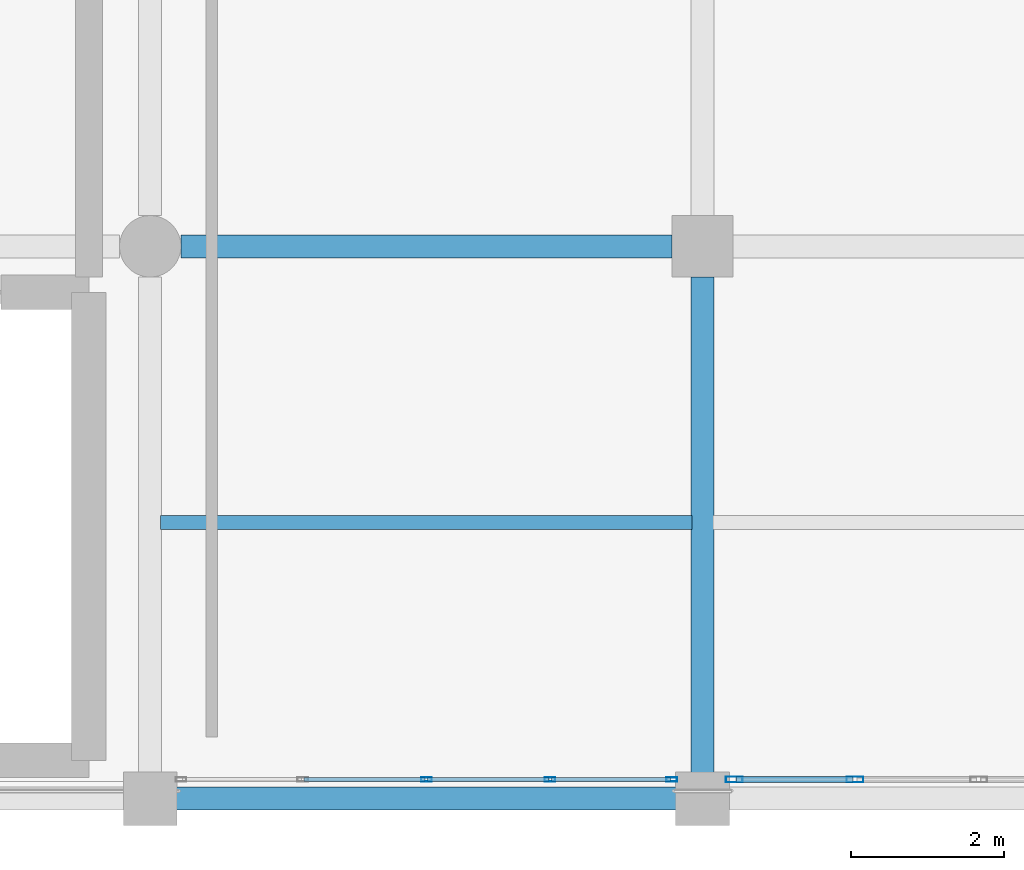
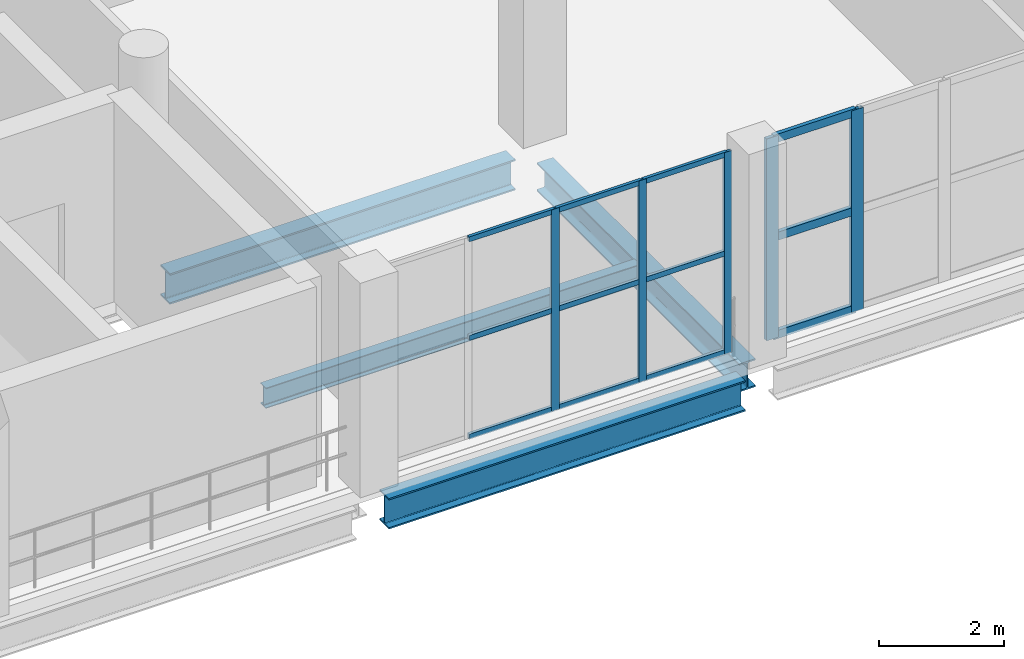
# One storey, part 28 of 153: 17 members, 4 beams, 2 elements without a shape of their own.
"""IFC4 building model written with IfcOpenShell, lengths in metres."""

import ifcopenshell
import ifcopenshell.guid

model = None  # the IFC model being written
_history = None  # IfcOwnerHistory: only IFC2X3 demands one
_inside = {}  # id of a spatial element -> (the spatial element, [elements in it])
_under = {}  # id of a project, library or spatial element -> (it, [spatial elements below it])
_declared = {}  # id of a project -> (the project, [libraries it declares])
_typed = {}  # id of a type object -> (the type object, [elements of that type])
_made_of = {}  # id of a material, layer set ... -> (it, [elements and type objects made of it])


def new_model(schema):
    """Start an empty IFC model of exactly this schema.

    Asked for "IFC4X3", IfcOpenShell would pick the latest addendum, in which some entities
    have other attributes; the version numbers below select the first issue.
    IFC2X3 requires an IfcOwnerHistory on every rooted entity: one is made here for all.
    """
    global model, _history
    if schema == "IFC4X3":
        model = ifcopenshell.file(schema_version=(4, 3, 0, 0))
    else:
        model = ifcopenshell.file(schema=schema)
    _inside.clear()
    _under.clear()
    _declared.clear()
    _typed.clear()
    _made_of.clear()
    _history = None
    if model.schema == "IFC2X3":
        org = make("IfcOrganization", Name="unknown")
        user = make(
            "IfcPersonAndOrganization",
            ThePerson=make("IfcPerson", FamilyName="unknown"),
            TheOrganization=org,
        )
        app = make(
            "IfcApplication",
            ApplicationDeveloper=org,
            Version="unknown",
            ApplicationFullName="unknown",
            ApplicationIdentifier="unknown",
        )
        _history = make(
            "IfcOwnerHistory",
            OwningUser=user,
            OwningApplication=app,
            ChangeAction="ADDED",
            CreationDate=0,
        )
    return model


def make(cls, **values):
    """One entity of the class cls with the attributes given. An attribute that is None is left unset."""
    return model.create_entity(
        cls, **{name: value for name, value in values.items() if value is not None}
    )


def rooted(cls, **values):
    """An entity with a GlobalId (a new one), such as an element, a storey or a relation."""
    return make(cls, GlobalId=ifcopenshell.guid.new(), OwnerHistory=_history, **values)


def si_unit(unit_type, name, prefix=None):
    """IfcSIUnit, for example si_unit("LENGTHUNIT", "METRE", prefix="MILLI")."""
    return make("IfcSIUnit", UnitType=unit_type, Prefix=prefix, Name=name)


def assignment(units):
    """IfcUnitAssignment: the units of a project."""
    return None if units is None else make("IfcUnitAssignment", Units=units)


def point(xyz):
    """IfcCartesianPoint."""
    return None if xyz is None else make("IfcCartesianPoint", Coordinates=xyz)


def direction(xyz):
    """IfcDirection."""
    return None if xyz is None else make("IfcDirection", DirectionRatios=xyz)


def frame(location, z_axis=None, x_axis=None):
    """IfcAxis2Placement3D, a coordinate frame: its origin and axes. An axis left out is left unset."""
    return make(
        "IfcAxis2Placement3D",
        Location=point(location),
        Axis=direction(z_axis),
        RefDirection=direction(x_axis),
    )


def frame_2d(location, x_axis=None):
    """IfcAxis2Placement2D, a coordinate frame in the plane: its origin and x axis."""
    return make(
        "IfcAxis2Placement2D", Location=point(location), RefDirection=direction(x_axis)
    )


def origin():
    """The frame at (0, 0, 0) with its axes left unset."""
    return frame((0.0, 0.0, 0.0))


def origin_2d():
    """The frame at (0, 0) in the plane with its x axis left unset."""
    return frame_2d((0.0, 0.0))


def place(relative_to, where):
    """IfcLocalPlacement: puts the frame where relative to a parent placement (None: the world)."""
    return make(
        "IfcLocalPlacement", PlacementRelTo=relative_to, RelativePlacement=where
    )


def context(
    kind, dimensions, precision=None, world=None, true_north=None, identifier=None
):
    """IfcGeometricRepresentationContext, for example the 3D "Model" context."""
    return make(
        "IfcGeometricRepresentationContext",
        ContextIdentifier=identifier,
        ContextType=kind,
        CoordinateSpaceDimension=dimensions,
        Precision=precision,
        WorldCoordinateSystem=world,
        TrueNorth=true_north,
    )


def subcontext(parent, identifier, kind, view, scale=None):
    """IfcGeometricRepresentationSubContext, for example "Body" below "Model"."""
    return make(
        "IfcGeometricRepresentationSubContext",
        ContextIdentifier=identifier,
        ContextType=kind,
        ParentContext=parent,
        TargetScale=scale,
        TargetView=view,
    )


def project(units=None, contexts=None):
    """IfcProject with its units and contexts."""
    return rooted(
        "IfcProject",
        Name="project",
        RepresentationContexts=contexts,
        UnitsInContext=assignment(units),
    )


def spatial(cls, under=None, at=None, **own):
    """A site, building, storey or space (cls), placed at a placement, below another one or the project."""
    s = rooted(cls, ObjectPlacement=at, **own)
    if under is not None:
        _under.setdefault(under.id(), (under, []))[1].append(s)
    return s


def profile(cls, at=None, kind="AREA", **sizes):
    """A parametric profile (cls). Its sizes go by their IFC names, for example OverallWidth=200.0."""
    return make(cls, ProfileType=kind, Position=at, **sizes)


def hollow_rectangle(**sizes):
    """IfcRectangleHollowProfileDef."""
    return profile("IfcRectangleHollowProfileDef", **sizes)


def i_section(**sizes):
    """IfcIShapeProfileDef."""
    return profile("IfcIShapeProfileDef", **sizes)


def extrude(swept, where, along, depth):
    """IfcExtrudedAreaSolid: the profile swept, set in the frame where, extruded along a direction by depth."""
    return make(
        "IfcExtrudedAreaSolid",
        SweptArea=swept,
        Position=where,
        ExtrudedDirection=direction(along),
        Depth=depth,
    )


def shape(context_of_items, identifier, shape_type, items):
    """IfcShapeRepresentation: the items that make up one representation, for example the "Body"."""
    return make(
        "IfcShapeRepresentation",
        ContextOfItems=context_of_items,
        RepresentationIdentifier=identifier,
        RepresentationType=shape_type,
        Items=items,
    )


def material(Name=None, Category=None):
    """IfcMaterial."""
    return make("IfcMaterial", Name=Name, Category=Category)


def material_profile(
    of_material, cross_section, Name=None, Category=None, Priority=None
):
    """IfcMaterialProfile: a cross section and its material."""
    return make(
        "IfcMaterialProfile",
        Name=Name,
        Material=of_material,
        Profile=cross_section,
        Priority=Priority,
        Category=Category,
    )


def profile_set(profiles, Name=None, composite=None):
    """IfcMaterialProfileSet."""
    return make(
        "IfcMaterialProfileSet",
        Name=Name,
        MaterialProfiles=profiles,
        CompositeProfile=composite,
    )


def made_of(thing, what):
    """Note that an element or type object is made of a material, layer set ...; save() writes the relation."""
    if what is not None:
        _made_of.setdefault(what.id(), (what, []))[1].append(thing)
    return thing


def type_object(cls, material=None, **own):
    """A type object (cls), such as IfcWallType, which elements share."""
    return made_of(rooted(cls, **own), material)


def element(
    cls,
    number,
    at=None,
    inside=None,
    cuts=None,
    type_object=None,
    material=None,
    context=None,
    identifier="Body",
    shape_type=None,
    held_by="IfcProductDefinitionShape",
    body=None,
    shapes=None,
    **own,
):
    """One element of the class cls, such as IfcWall. Its Tag is "e" and its number.

    at: its placement. inside: the storey or other place that contains it. cuts: it is an
    opening in that element (IfcRelVoidsElement). A single representation is given by context,
    identifier, shape_type and body (its items); several are given by shapes. held_by: the class
    of the entity that holds the representations. save() writes the other relations.
    """
    e = rooted(cls, Tag="e%d" % number, ObjectPlacement=at, **own)
    if body is not None:
        shapes = [shape(context, identifier, shape_type, body)]
    if shapes is not None:
        e.Representation = make(held_by, Representations=shapes)
    if inside is not None:
        _inside.setdefault(inside.id(), (inside, []))[1].append(e)
    if cuts is not None:
        rooted(
            "IfcRelVoidsElement", RelatingBuildingElement=cuts, RelatedOpeningElement=e
        )
    if type_object is not None:
        _typed.setdefault(type_object.id(), (type_object, []))[1].append(e)
    return made_of(e, material)


def aggregate(whole, parts):
    """IfcRelAggregates: a whole, such as a stair, and the parts it consists of."""
    return rooted("IfcRelAggregates", RelatingObject=whole, RelatedObjects=parts)


def save(model, path):
    """Write the relations noted so far, then the file.

    IfcRelAggregates (storeys below a building ...), IfcRelContainedInSpatialStructure (elements
    in a storey), IfcRelDefinesByType, IfcRelAssociatesMaterial and IfcRelDeclares: one each for
    every whole, place, type object, material and project.
    """
    for whole, parts in _under.values():
        aggregate(whole, parts)
    for where, things in _inside.values():
        rooted(
            "IfcRelContainedInSpatialStructure",
            RelatedElements=things,
            RelatingStructure=where,
        )
    for kind, things in _typed.values():
        rooted("IfcRelDefinesByType", RelatedObjects=things, RelatingType=kind)
    for what, things in _made_of.values():
        rooted("IfcRelAssociatesMaterial", RelatedObjects=things, RelatingMaterial=what)
    for by, libraries in _declared.values():
        rooted("IfcRelDeclares", RelatingContext=by, RelatedDefinitions=libraries)
    model.write(path)


model = new_model("IFC4")

# Units and contexts
model_context = context("Model", 3, precision=1e-05, world=origin(), true_north=direction((0.0, 1.0)))
body_context = subcontext(model_context, "Body", "Model", "MODEL_VIEW")
ifc_project = project(units=[si_unit("LENGTHUNIT", "METRE"), si_unit("AREAUNIT", "SQUARE_METRE"), si_unit("VOLUMEUNIT", "CUBIC_METRE"), si_unit("PLANEANGLEUNIT", "RADIAN"), si_unit("MASSUNIT", "GRAM", prefix="KILO")], contexts=[model_context])

# Site, building, storey
site_placement = place(None, origin())
site = spatial("IfcSite", under=ifc_project, at=site_placement, CompositionType="ELEMENT")
building_placement = place(site_placement, origin())
building = spatial("IfcBuilding", under=site, at=building_placement, Name="Qandorah Velis Arena", CompositionType="ELEMENT")
storey_placement = place(building_placement, frame((0.0, 0.0, 5.39990234375)))
storey = spatial("IfcBuildingStorey", under=building, at=storey_placement, Name="L01", CompositionType="ELEMENT", Elevation=5.39990234375)

# Curtain wall, members
ifc_material_1 = material(Name="Solar-control low-E double glazing", Category="glass")
curtain_wall_type_1 = type_object("IfcCurtainWallType", Name="ARC-CW-SYS12", PredefinedType="USERDEFINED", material=ifc_material_1)
curtain_wall_1_placement = place(storey_placement, origin())
curtain_wall_1 = element("IfcCurtainWall", 1, at=curtain_wall_1_placement, inside=storey, type_object=curtain_wall_type_1, Name="Unitised curtain wall L01-060", ObjectType="UNITISED CURTAIN WALL", PredefinedType="USERDEFINED")
ifc_material_2 = material(Name="Champagne-bronze anodized aluminium 6063-T6", Category="aluminium")
ifc_material_profile_1 = material_profile(ifc_material_2, hollow_rectangle(XDim=0.054931640625, YDim=0.139892578125, WallThickness=0.0029296875, at=origin_2d()), Name="ALU MULLION 55x140")
ifc_profile_set_1 = profile_set([ifc_material_profile_1], Name="Champagne-bronze anodized aluminium 6063-T6")
member_type_1 = type_object("IfcMemberType", Name="ARC-CWM-140", PredefinedType="MULLION", material=ifc_profile_set_1)
member_1_placement = place(storey_placement, frame((90.0, 0.25, -0.014892578125), z_axis=(0.0, 0.0, 1.0), x_axis=(0.0, 1.0, 0.0)))
member_1 = element("IfcMember", 2, at=member_1_placement, type_object=member_type_1, Name="CW12 mullion 3", PredefinedType="MULLION", context=body_context, shape_type="SweptSolid", body=[
    extrude(hollow_rectangle(XDim=0.054931640625, YDim=0.139892578125, WallThickness=0.0029296875, at=origin_2d()), origin(), (0.0, 0.0, 1.0), 3.949951171875),
])
member_2_placement = place(storey_placement, frame((91.612548828125, 0.25, -0.014892578125), z_axis=(0.0, 0.0, 1.0), x_axis=(0.0, 1.0, 0.0)))
member_2 = element("IfcMember", 3, at=member_2_placement, type_object=member_type_1, Name="CW12 mullion 4", PredefinedType="MULLION", context=body_context, shape_type="SweptSolid", body=[
    extrude(hollow_rectangle(XDim=0.054931640625, YDim=0.139892578125, WallThickness=0.0029296875, at=origin_2d()), origin(), (0.0, 0.0, 1.0), 3.949951171875),
])
member_3_placement = place(storey_placement, frame((93.197509765625, 0.25, -0.014892578125), z_axis=(0.0, 0.0, 1.0), x_axis=(0.0, 1.0, 0.0)))
member_3 = element("IfcMember", 4, at=member_3_placement, type_object=member_type_1, Name="CW12 mullion 5", PredefinedType="MULLION", context=body_context, shape_type="SweptSolid", body=[
    extrude(hollow_rectangle(XDim=0.054931640625, YDim=0.139892578125, WallThickness=0.0029296875, at=origin_2d()), origin(), (0.0, 0.0, 1.0), 3.949951171875),
])

curtain_wall_type_2 = type_object("IfcCurtainWallType", Name="ARC-CW-SYS13", PredefinedType="USERDEFINED", material=ifc_material_1)
curtain_wall_2_placement = place(storey_placement, origin())
curtain_wall_2 = element("IfcCurtainWall", 5, at=curtain_wall_2_placement, inside=storey, type_object=curtain_wall_type_2, Name="Unitised curtain wall L01-061", ObjectType="UNITISED CURTAIN WALL", PredefinedType="USERDEFINED")
ifc_material_profile_2 = material_profile(ifc_material_2, hollow_rectangle(XDim=0.074951171875, YDim=0.219970703125, WallThickness=0.00390625, at=origin_2d()), Name="ALU MULLION 75x220")
ifc_profile_set_2 = profile_set([ifc_material_profile_2], Name="Champagne-bronze anodized aluminium 6063-T6")
member_type_2 = type_object("IfcMemberType", Name="ARC-CWM-220", PredefinedType="MULLION", material=ifc_profile_set_2)
member_4_placement = place(storey_placement, frame((94.012451171875, 0.25, -0.014892578125), z_axis=(0.0, 0.0, 1.0), x_axis=(0.0, 1.0, 0.0)))
member_4 = element("IfcMember", 6, at=member_4_placement, type_object=member_type_2, Name="CW13 mullion 1", PredefinedType="MULLION", context=body_context, shape_type="SweptSolid", body=[
    extrude(hollow_rectangle(XDim=0.074951171875, YDim=0.219970703125, WallThickness=0.00390625, at=origin_2d()), origin(), (0.0, 0.0, 1.0), 3.949951171875),
])
member_5_placement = place(storey_placement, frame((95.58740234375, 0.25, -0.014892578125), z_axis=(0.0, 0.0, 1.0), x_axis=(0.0, 1.0, 0.0)))
member_5 = element("IfcMember", 7, at=member_5_placement, type_object=member_type_2, Name="CW13 mullion 2", PredefinedType="MULLION", context=body_context, shape_type="SweptSolid", body=[
    extrude(hollow_rectangle(XDim=0.074951171875, YDim=0.219970703125, WallThickness=0.00390625, at=origin_2d()), origin(), (0.0, 0.0, 1.0), 3.949951171875),
])

# Member
ifc_material_profile_3 = material_profile(ifc_material_2, hollow_rectangle(XDim=0.054931640625, YDim=0.10009765625, WallThickness=0.0029296875, at=origin_2d()), Name="ALU TRANSOM 55x100")
ifc_profile_set_3 = profile_set([ifc_material_profile_3], Name="Champagne-bronze anodized aluminium 6063-T6")
member_type_3 = type_object("IfcMemberType", Name="ARC-CWT-100", PredefinedType="USERDEFINED", material=ifc_profile_set_3)
member_6_placement = place(storey_placement, frame((88.403076171875, 0.25, 0.027587890625), z_axis=(1.0, 0.0, 0.0), x_axis=(0.0, 1.0, 0.0)))
member_6 = element("IfcMember", 8, at=member_6_placement, type_object=member_type_3, Name="CW12 transom 2.1", ObjectType="TRANSOM", PredefinedType="USERDEFINED", context=body_context, shape_type="SweptSolid", body=[
    extrude(hollow_rectangle(XDim=0.054931640625, YDim=0.10009765625, WallThickness=0.0029296875, at=origin_2d()), origin(), (0.0, 0.0, 1.0), 1.58154296875),
])

member_7_placement = place(storey_placement, frame((88.403076171875, 0.25, 1.960205078125), z_axis=(1.0, 0.0, 0.0), x_axis=(0.0, 1.0, 0.0)))
member_7 = element("IfcMember", 9, at=member_7_placement, type_object=member_type_3, Name="CW12 transom 2.2", ObjectType="TRANSOM", PredefinedType="USERDEFINED", context=body_context, shape_type="SweptSolid", body=[
    extrude(hollow_rectangle(XDim=0.054931640625, YDim=0.10009765625, WallThickness=0.0029296875, at=origin_2d()), origin(), (0.0, 0.0, 1.0), 1.58154296875),
])

member_8_placement = place(storey_placement, frame((88.403076171875, 0.25, 3.892578125), z_axis=(1.0, 0.0, 0.0), x_axis=(0.0, 1.0, 0.0)))
member_8 = element("IfcMember", 10, at=member_8_placement, type_object=member_type_3, Name="CW12 transom 2.3", ObjectType="TRANSOM", PredefinedType="USERDEFINED", context=body_context, shape_type="SweptSolid", body=[
    extrude(hollow_rectangle(XDim=0.054931640625, YDim=0.10009765625, WallThickness=0.0029296875, at=origin_2d()), origin(), (0.0, 0.0, 1.0), 1.58154296875),
])

member_9_placement = place(storey_placement, frame((90.015380859375, 0.25, 0.027587890625), z_axis=(1.0, 0.0, 0.0), x_axis=(0.0, 1.0, 0.0)))
member_9 = element("IfcMember", 11, at=member_9_placement, type_object=member_type_3, Name="CW12 transom 3.1", ObjectType="TRANSOM", PredefinedType="USERDEFINED", context=body_context, shape_type="SweptSolid", body=[
    extrude(hollow_rectangle(XDim=0.054931640625, YDim=0.10009765625, WallThickness=0.0029296875, at=origin_2d()), origin(), (0.0, 0.0, 1.0), 1.58154296875),
])

member_10_placement = place(storey_placement, frame((90.015380859375, 0.25, 1.960205078125), z_axis=(1.0, 0.0, 0.0), x_axis=(0.0, 1.0, 0.0)))
member_10 = element("IfcMember", 12, at=member_10_placement, type_object=member_type_3, Name="CW12 transom 3.2", ObjectType="TRANSOM", PredefinedType="USERDEFINED", context=body_context, shape_type="SweptSolid", body=[
    extrude(hollow_rectangle(XDim=0.054931640625, YDim=0.10009765625, WallThickness=0.0029296875, at=origin_2d()), origin(), (0.0, 0.0, 1.0), 1.58154296875),
])

member_11_placement = place(storey_placement, frame((90.015380859375, 0.25, 3.892578125), z_axis=(1.0, 0.0, 0.0), x_axis=(0.0, 1.0, 0.0)))
member_11 = element("IfcMember", 13, at=member_11_placement, type_object=member_type_3, Name="CW12 transom 3.3", ObjectType="TRANSOM", PredefinedType="USERDEFINED", context=body_context, shape_type="SweptSolid", body=[
    extrude(hollow_rectangle(XDim=0.054931640625, YDim=0.10009765625, WallThickness=0.0029296875, at=origin_2d()), origin(), (0.0, 0.0, 1.0), 1.58154296875),
])

member_12_placement = place(storey_placement, frame((91.6279296875, 0.25, 0.027587890625), z_axis=(1.0, 0.0, 0.0), x_axis=(0.0, 1.0, 0.0)))
member_12 = element("IfcMember", 14, at=member_12_placement, type_object=member_type_3, Name="CW12 transom 4.1", ObjectType="TRANSOM", PredefinedType="USERDEFINED", context=body_context, shape_type="SweptSolid", body=[
    extrude(hollow_rectangle(XDim=0.054931640625, YDim=0.10009765625, WallThickness=0.0029296875, at=origin_2d()), origin(), (0.0, 0.0, 1.0), 1.553955078125),
])

member_13_placement = place(storey_placement, frame((91.6279296875, 0.25, 1.960205078125), z_axis=(1.0, 0.0, 0.0), x_axis=(0.0, 1.0, 0.0)))
member_13 = element("IfcMember", 15, at=member_13_placement, type_object=member_type_3, Name="CW12 transom 4.2", ObjectType="TRANSOM", PredefinedType="USERDEFINED", context=body_context, shape_type="SweptSolid", body=[
    extrude(hollow_rectangle(XDim=0.054931640625, YDim=0.10009765625, WallThickness=0.0029296875, at=origin_2d()), origin(), (0.0, 0.0, 1.0), 1.553955078125),
])

member_14_placement = place(storey_placement, frame((91.6279296875, 0.25, 3.892578125), z_axis=(1.0, 0.0, 0.0), x_axis=(0.0, 1.0, 0.0)))
member_14 = element("IfcMember", 16, at=member_14_placement, type_object=member_type_3, Name="CW12 transom 4.3", ObjectType="TRANSOM", PredefinedType="USERDEFINED", context=body_context, shape_type="SweptSolid", body=[
    extrude(hollow_rectangle(XDim=0.054931640625, YDim=0.10009765625, WallThickness=0.0029296875, at=origin_2d()), origin(), (0.0, 0.0, 1.0), 1.553955078125),
])

aggregate(curtain_wall_1, [member_1, member_2, member_3, member_6, member_7, member_8, member_9, member_10, member_11, member_12, member_13, member_14])

ifc_material_profile_4 = material_profile(ifc_material_2, hollow_rectangle(XDim=0.074951171875, YDim=0.159912109375, WallThickness=0.00341796875, at=origin_2d()), Name="ALU TRANSOM 75x160")
ifc_profile_set_4 = profile_set([ifc_material_profile_4], Name="Champagne-bronze anodized aluminium 6063-T6")
member_type_4 = type_object("IfcMemberType", Name="ARC-CWT-160", PredefinedType="USERDEFINED", material=ifc_profile_set_4)
member_15_placement = place(storey_placement, frame((94.0380859375, 0.25, 0.03759765625), z_axis=(1.0, 0.0, 0.0), x_axis=(0.0, 1.0, 0.0)))
member_15 = element("IfcMember", 17, at=member_15_placement, type_object=member_type_4, Name="CW13 transom 1.1", ObjectType="TRANSOM", PredefinedType="USERDEFINED", context=body_context, shape_type="SweptSolid", body=[
    extrude(hollow_rectangle(XDim=0.074951171875, YDim=0.159912109375, WallThickness=0.00341796875, at=origin_2d()), origin(), (0.0, 0.0, 1.0), 1.52392578125),
])

member_16_placement = place(storey_placement, frame((94.0380859375, 0.25, 1.960205078125), z_axis=(1.0, 0.0, 0.0), x_axis=(0.0, 1.0, 0.0)))
member_16 = element("IfcMember", 18, at=member_16_placement, type_object=member_type_4, Name="CW13 transom 1.2", ObjectType="TRANSOM", PredefinedType="USERDEFINED", context=body_context, shape_type="SweptSolid", body=[
    extrude(hollow_rectangle(XDim=0.074951171875, YDim=0.159912109375, WallThickness=0.00341796875, at=origin_2d()), origin(), (0.0, 0.0, 1.0), 1.52392578125),
])

member_17_placement = place(storey_placement, frame((94.0380859375, 0.25, 3.882568359375), z_axis=(1.0, 0.0, 0.0), x_axis=(0.0, 1.0, 0.0)))
member_17 = element("IfcMember", 19, at=member_17_placement, type_object=member_type_4, Name="CW13 transom 1.3", ObjectType="TRANSOM", PredefinedType="USERDEFINED", context=body_context, shape_type="SweptSolid", body=[
    extrude(hollow_rectangle(XDim=0.074951171875, YDim=0.159912109375, WallThickness=0.00341796875, at=origin_2d()), origin(), (0.0, 0.0, 1.0), 1.52392578125),
])

aggregate(curtain_wall_2, [member_4, member_5, member_15, member_16, member_17])

# Beams
ifc_material_3 = material(Name="Steel S355", Category="steel")
ifc_material_profile_5 = material_profile(ifc_material_3, i_section(OverallWidth=0.300048828125, OverallDepth=0.550048828125, WebThickness=0.014892578125, FlangeThickness=0.029052734375, FilletRadius=0.027099609375, at=origin_2d()), Name="HEB 550")
ifc_profile_set_5 = profile_set([ifc_material_profile_5], Name="Steel S355")
beam_type_1 = type_object("IfcBeamType", Name="STR-BM-HEB550", PredefinedType="BEAM", material=ifc_profile_set_5)
beam_1_placement = place(storey_placement, frame((93.60009765625, 0.300048828125, -0.635009765625), z_axis=(0.0, 1.0, 0.0), x_axis=(-1.0, 0.0, 0.0)))
element("IfcBeam", 20, at=beam_1_placement, inside=storey, type_object=beam_type_1, Name="Primary floor girder L01 Y-344", PredefinedType="BEAM", context=body_context, shape_type="SweptSolid", body=[
    extrude(i_section(OverallWidth=0.300048828125, OverallDepth=0.550048828125, WebThickness=0.014892578125, FlangeThickness=0.029052734375, FilletRadius=0.027099609375, at=origin_2d()), origin(), (0.0, 0.0, 1.0), 6.5),
])
ifc_material_profile_6 = material_profile(ifc_material_3, i_section(OverallWidth=0.300048828125, OverallDepth=0.60009765625, WebThickness=0.015380859375, FlangeThickness=0.030029296875, FilletRadius=0.027099609375, at=origin_2d()), Name="HEB 600")
ifc_profile_set_6 = profile_set([ifc_material_profile_6], Name="Steel S355")
beam_type_2 = type_object("IfcBeamType", Name="STR-BM-HEB600", PredefinedType="BEAM", material=ifc_profile_set_6)
beam_2_placement = place(storey_placement, frame((86.699951171875, 0.0, -0.659912109375), z_axis=(1.0, 0.0, 0.0), x_axis=(0.0, 1.0, 0.0)))
element("IfcBeam", 21, at=beam_2_placement, inside=storey, type_object=beam_type_2, Name="Primary floor girder L01 X-013", PredefinedType="BEAM", context=body_context, shape_type="SweptSolid", body=[
    extrude(i_section(OverallWidth=0.300048828125, OverallDepth=0.60009765625, WebThickness=0.015380859375, FlangeThickness=0.030029296875, FilletRadius=0.027099609375, at=origin_2d()), origin(), (0.0, 0.0, 1.0), 6.60009765625),
])
beam_3_placement = place(storey_placement, frame((86.800048828125, 7.199951171875, -0.659912109375), z_axis=(1.0, 0.0, 0.0), x_axis=(0.0, 1.0, 0.0)))
element("IfcBeam", 22, at=beam_3_placement, inside=storey, type_object=beam_type_2, Name="Primary floor girder L01 X-029", PredefinedType="BEAM", context=body_context, shape_type="SweptSolid", body=[
    extrude(i_section(OverallWidth=0.300048828125, OverallDepth=0.60009765625, WebThickness=0.015380859375, FlangeThickness=0.030029296875, FilletRadius=0.027099609375, at=origin_2d()), origin(), (0.0, 0.0, 1.0), 6.39990234375),
])
ifc_material_profile_7 = material_profile(ifc_material_3, i_section(OverallWidth=0.179931640625, OverallDepth=0.39990234375, WebThickness=0.008544921875, FlangeThickness=0.013427734375, FilletRadius=0.02099609375, at=origin_2d()), Name="IPE 400")
ifc_profile_set_7 = profile_set([ifc_material_profile_7], Name="Steel S355")
beam_type_3 = type_object("IfcBeamType", Name="STR-JST-IPE400", PredefinedType="JOIST", material=ifc_profile_set_7)
beam_4_placement = place(storey_placement, frame((86.534912109375, 3.60009765625, -0.559814453125), z_axis=(1.0, 0.0, 0.0), x_axis=(0.0, 1.0, 0.0)))
element("IfcBeam", 23, at=beam_4_placement, inside=storey, type_object=beam_type_3, Name="Secondary floor joist L01-097", PredefinedType="JOIST", context=body_context, shape_type="SweptSolid", body=[
    extrude(i_section(OverallWidth=0.179931640625, OverallDepth=0.39990234375, WebThickness=0.008544921875, FlangeThickness=0.013427734375, FilletRadius=0.02099609375, at=origin_2d()), origin(), (0.0, 0.0, 1.0), 6.93017578125),
])

save(model, "model.ifc")
